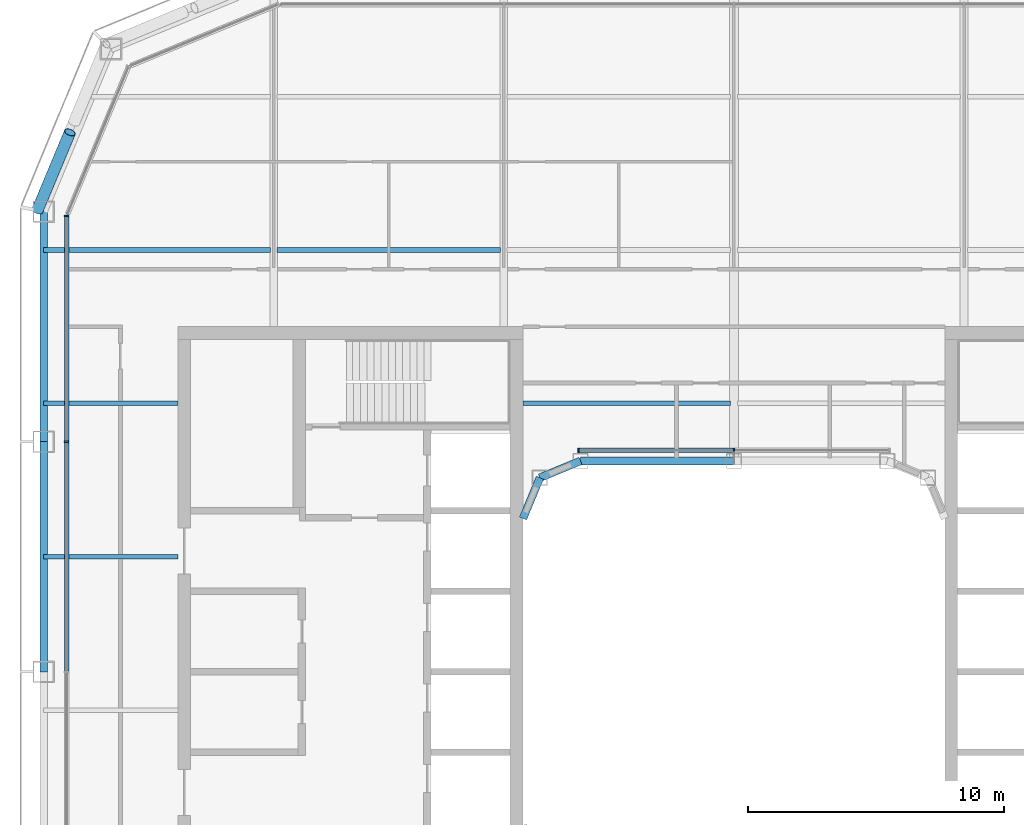
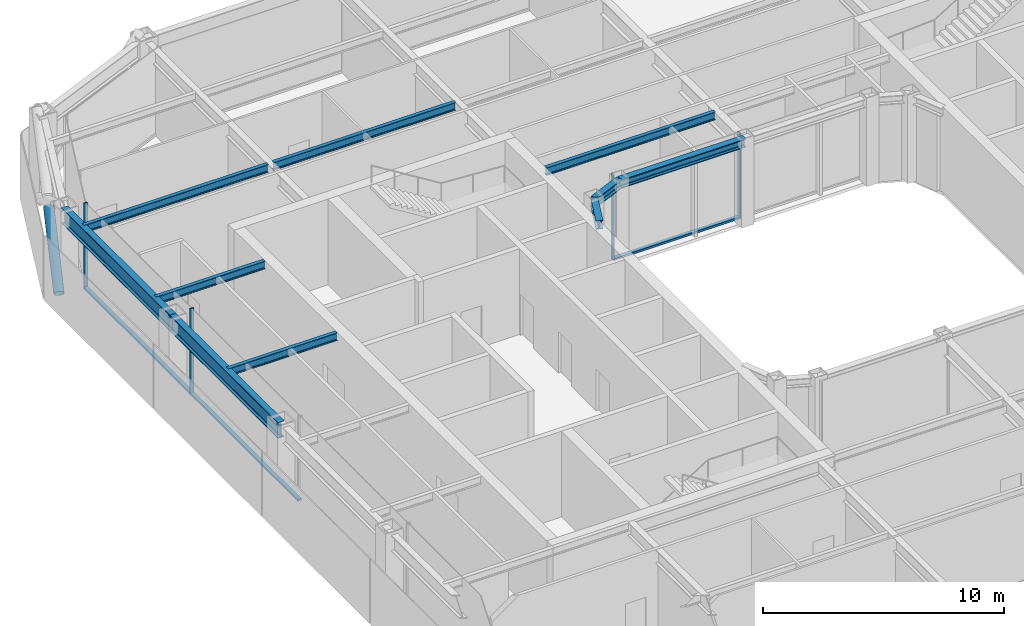
# One storey, part 6 of 19: 10 beams, 8 members, 2 elements without a shape of their own.
"""IFC4 building model written with IfcOpenShell, lengths in metres."""

from ifc_helpers import new_model, si_unit, direction, frame, origin, origin_2d, place, context, subcontext, project, spatial, rectangle, hollow_circle, i_section, extrude, material, layer, layer_set, material_profile, profile_set, type_object, element, aggregate, save


model = new_model("IFC4")

# Units and contexts
model_context = context("Model", 3, precision=1e-05, world=origin(), true_north=direction((0.0, 1.0)))
body_context = subcontext(model_context, "Body", "Model", "MODEL_VIEW")
ifc_project = project(units=[si_unit("LENGTHUNIT", "METRE"), si_unit("AREAUNIT", "SQUARE_METRE"), si_unit("VOLUMEUNIT", "CUBIC_METRE"), si_unit("PLANEANGLEUNIT", "RADIAN"), si_unit("MASSUNIT", "GRAM", prefix="KILO")], contexts=[model_context])

# Site, building, storey
site_placement = place(None, origin())
site = spatial("IfcSite", under=ifc_project, at=site_placement, CompositionType="ELEMENT")
building_placement = place(site_placement, origin())
building = spatial("IfcBuilding", under=site, at=building_placement, Name="Siwar Civic Tower", CompositionType="ELEMENT")
storey_placement = place(building_placement, frame((0.0, 0.0, 228.699951171875)))
storey = spatial("IfcBuildingStorey", under=building, at=storey_placement, Name="L49", CompositionType="ELEMENT", Elevation=228.699951171875)

# Curtain wall, members
ifc_material_1 = material(Name="Aluminium and glass", Category="aluminium")
ifc_layer_1 = layer(ifc_material_1, 0.179931640625)
ifc_layer_set_1 = layer_set([ifc_layer_1], Name="Aluminium and glass")
curtain_wall_type_1 = type_object("IfcCurtainWallType", Name="ENV-CW-C", PredefinedType="NOTDEFINED", material=ifc_layer_set_1)
curtain_wall_1_placement = place(storey_placement, origin())
curtain_wall_1 = element("IfcCurtainWall", 1, at=curtain_wall_1_placement, inside=storey, type_object=curtain_wall_type_1, Name="Curtain wall C W", PredefinedType="NOTDEFINED")
ifc_material_2 = material(Name="Aluminium 6063-T6", Category="aluminium")
ifc_material_profile_1 = material_profile(ifc_material_2, rectangle(XDim=0.179931640625, YDim=0.06005859375, at=origin_2d()), Name="AL 180x60")
ifc_profile_set_1 = profile_set([ifc_material_profile_1], Name="Aluminium 6063-T6")
member_type_1 = type_object("IfcMemberType", Name="ENV-MULLION-C", PredefinedType="MULLION", material=ifc_profile_set_1)
member_1_placement = place(storey_placement, frame((-26.10009765625, 17.821044921875, 0.0), z_axis=(0.0, 0.0, 1.0), x_axis=(1.0, 0.0, 0.0)))
member_1 = element("IfcMember", 2, at=member_1_placement, type_object=member_type_1, Name="Mullion C W 1", PredefinedType="MULLION", context=body_context, shape_type="SweptSolid", body=[
    extrude(rectangle(XDim=0.179931640625, YDim=0.06005859375, at=origin_2d()), origin(), (0.0, 0.0, 1.0), 4.35009765625),
])
member_2_placement = place(storey_placement, frame((-26.10009765625, 9.0, 0.0), z_axis=(0.0, 0.0, 1.0), x_axis=(1.0, 0.0, 0.0)))
member_2 = element("IfcMember", 3, at=member_2_placement, type_object=member_type_1, Name="Mullion C W 2", PredefinedType="MULLION", context=body_context, shape_type="SweptSolid", body=[
    extrude(rectangle(XDim=0.179931640625, YDim=0.06005859375, at=origin_2d()), origin(), (0.0, 0.0, 1.0), 4.35009765625),
])

ifc_material_3 = material(Name="Aluminium and glass", Category="aluminium")
ifc_layer_2 = layer(ifc_material_3, 0.179931640625)
ifc_layer_set_2 = layer_set([ifc_layer_2], Name="Aluminium and glass")
curtain_wall_type_2 = type_object("IfcCurtainWallType", Name="ENV-CW-W", PredefinedType="NOTDEFINED", material=ifc_layer_set_2)
curtain_wall_2_placement = place(storey_placement, origin())
curtain_wall_2 = element("IfcCurtainWall", 4, at=curtain_wall_2_placement, inside=storey, type_object=curtain_wall_type_2, Name="Curtain wall W WN", PredefinedType="NOTDEFINED")
ifc_material_4 = material(Name="Aluminium 6063-T6", Category="aluminium")
ifc_material_profile_2 = material_profile(ifc_material_4, rectangle(XDim=0.179931640625, YDim=0.06005859375, at=origin_2d()), Name="AL 180x60")
ifc_profile_set_2 = profile_set([ifc_material_profile_2], Name="Aluminium 6063-T6")
member_type_2 = type_object("IfcMemberType", Name="ENV-MULLION-W", PredefinedType="MULLION", material=ifc_profile_set_2)
member_3_placement = place(storey_placement, frame((0.0, 8.659912109375, 0.0), z_axis=(0.0, 0.0, 1.0), x_axis=(0.0, -1.0, 0.0)))
member_3 = element("IfcMember", 5, at=member_3_placement, type_object=member_type_2, Name="Mullion W WN 2", PredefinedType="MULLION", context=body_context, shape_type="SweptSolid", body=[
    extrude(rectangle(XDim=0.179931640625, YDim=0.06005859375, at=origin_2d()), origin(), (0.0, 0.0, 1.0), 4.35009765625),
])
member_4_placement = place(storey_placement, frame((-6.08154296875, 8.659912109375, 0.0), z_axis=(0.0, 0.0, 1.0), x_axis=(0.0, -1.0, 0.0)))
member_4 = element("IfcMember", 6, at=member_4_placement, type_object=member_type_2, Name="Mullion W WN 3", PredefinedType="MULLION", context=body_context, shape_type="SweptSolid", body=[
    extrude(rectangle(XDim=0.179931640625, YDim=0.06005859375, at=origin_2d()), origin(), (0.0, 0.0, 1.0), 4.35009765625),
])

# Member
ifc_material_5 = material(Name="Aluminium 6063-T6", Category="aluminium")
ifc_material_profile_3 = material_profile(ifc_material_5, rectangle(XDim=0.179931640625, YDim=0.10009765625, at=origin_2d()), Name="AL 180x100")
ifc_profile_set_3 = profile_set([ifc_material_profile_3], Name="Aluminium 6063-T6")
member_type_3 = type_object("IfcMemberType", Name="ENV-TRANSOM-C", PredefinedType="USERDEFINED", material=ifc_profile_set_3)
member_5_placement = place(storey_placement, frame((-26.10009765625, 17.791015625, 0.050048828125), z_axis=(0.0, -1.0, 0.0), x_axis=(1.0, 0.0, 0.0)))
member_5 = element("IfcMember", 7, at=member_5_placement, type_object=member_type_3, Name="Transom C W 1", ObjectType="TRANSOM", PredefinedType="USERDEFINED", context=body_context, shape_type="SweptSolid", body=[
    extrude(rectangle(XDim=0.179931640625, YDim=0.10009765625, at=origin_2d()), origin(), (0.0, 0.0, 1.0), 8.760986328125),
])

member_6_placement = place(storey_placement, frame((-26.10009765625, 8.969970703125, 0.050048828125), z_axis=(0.0, -1.0, 0.0), x_axis=(1.0, 0.0, 0.0)))
member_6 = element("IfcMember", 8, at=member_6_placement, type_object=member_type_3, Name="Transom C W 2", ObjectType="TRANSOM", PredefinedType="USERDEFINED", context=body_context, shape_type="SweptSolid", body=[
    extrude(rectangle(XDim=0.179931640625, YDim=0.10009765625, at=origin_2d()), origin(), (0.0, 0.0, 1.0), 8.93994140625),
])

aggregate(curtain_wall_1, [member_1, member_2, member_5, member_6])

ifc_material_6 = material(Name="Aluminium 6063-T6", Category="aluminium")
ifc_material_profile_4 = material_profile(ifc_material_6, rectangle(XDim=0.179931640625, YDim=0.10009765625, at=origin_2d()), Name="AL 180x100")
ifc_profile_set_4 = profile_set([ifc_material_profile_4], Name="Aluminium 6063-T6")
member_type_4 = type_object("IfcMemberType", Name="ENV-TRANSOM-W", PredefinedType="USERDEFINED", material=ifc_profile_set_4)
member_7_placement = place(storey_placement, frame((-0.030029296875, 8.659912109375, 0.050048828125), z_axis=(-1.0, 0.0, 0.0), x_axis=(0.0, -1.0, 0.0)))
member_7 = element("IfcMember", 9, at=member_7_placement, type_object=member_type_4, Name="Transom W WN 2", ObjectType="TRANSOM", PredefinedType="USERDEFINED", context=body_context, shape_type="SweptSolid", body=[
    extrude(rectangle(XDim=0.179931640625, YDim=0.10009765625, at=origin_2d()), origin(), (0.0, 0.0, 1.0), 6.021484375),
])

aggregate(curtain_wall_2, [member_3, member_4, member_7])

ifc_material_7 = material(Name="Steel S355", Category="steel")
ifc_material_profile_5 = material_profile(ifc_material_7, hollow_circle(Radius=0.228515625, WallThickness=0.02001953125, at=origin_2d()), Name="CHS457x20")
ifc_profile_set_5 = profile_set([ifc_material_profile_5], Name="Steel S355")
member_type_5 = type_object("IfcMemberType", Name="STR-BR-CHS457x20", PredefinedType="BRACE", material=ifc_profile_set_5)
member_8_placement = place(storey_placement, frame((-27.2451171875, 18.048828125, 0.0), z_axis=(0.323884455881, 0.777546448489, 0.538999424564), x_axis=(-0.92311621485, 0.38452107079, 0.0)))
element("IfcMember", 10, at=member_8_placement, inside=storey, type_object=member_type_5, Name="L49/brc/CNW1-9-0-2", PredefinedType="BRACE", context=body_context, shape_type="SweptSolid", body=[
    extrude(hollow_circle(Radius=0.228515625, WallThickness=0.02001953125, at=origin_2d()), origin(), (0.0, 0.0, 1.0), 3.927978515625),
])

# Beams
ifc_material_8 = material(Name="Steel S355", Category="steel")
ifc_material_profile_6 = material_profile(ifc_material_8, i_section(OverallWidth=0.179931640625, OverallDepth=0.39990234375, WebThickness=0.008544921875, FlangeThickness=0.013427734375, FilletRadius=0.02099609375, at=origin_2d()), Name="IPE400")
ifc_profile_set_6 = profile_set([ifc_material_profile_6], Name="Steel S355")
beam_type_1 = type_object("IfcBeamType", Name="STR-FB-IPE400", PredefinedType="JOIST", material=ifc_profile_set_6)
for number, where, z_axis, x_axis, name in (
    (11, (-27.0, 4.5, 4.150146484375), (1.0, 0.0, 0.0), (0.0, 1.0, 0.0), "L49/bm/F025"),
    (12, (-27.0, 10.5, 4.150146484375), (1.0, 0.0, 0.0), (0.0, 1.0, 0.0), "L49/bm/F027"),
):
    element("IfcBeam", number, at=place(storey_placement, frame(where, z_axis=z_axis, x_axis=x_axis)), inside=storey, type_object=beam_type_1, Name=name, PredefinedType="JOIST", context=body_context, shape_type="SweptSolid", body=[
        extrude(i_section(OverallWidth=0.179931640625, OverallDepth=0.39990234375, WebThickness=0.008544921875, FlangeThickness=0.013427734375, FilletRadius=0.02099609375, at=origin_2d()), origin(), (0.0, 0.0, 1.0), 5.25),
    ])
beam_1_placement = place(storey_placement, frame((-8.25, 10.5, 4.150146484375), z_axis=(1.0, 0.0, 0.0), x_axis=(0.0, 1.0, 0.0)))
element("IfcBeam", 13, at=beam_1_placement, inside=storey, type_object=beam_type_1, Name="L49/bm/F028", PredefinedType="JOIST", context=body_context, shape_type="SweptSolid", body=[
    extrude(i_section(OverallWidth=0.179931640625, OverallDepth=0.39990234375, WebThickness=0.008544921875, FlangeThickness=0.013427734375, FilletRadius=0.02099609375, at=origin_2d()), origin(), (0.0, 0.0, 1.0), 8.1201171875),
])
beam_2_placement = place(storey_placement, frame((-27.0, 16.5, 4.150146484375), z_axis=(1.0, 0.0, 0.0), x_axis=(0.0, 1.0, 0.0)))
element("IfcBeam", 14, at=beam_2_placement, inside=storey, type_object=beam_type_1, Name="L49/bm/F031", PredefinedType="JOIST", context=body_context, shape_type="SweptSolid", body=[
    extrude(i_section(OverallWidth=0.179931640625, OverallDepth=0.39990234375, WebThickness=0.008544921875, FlangeThickness=0.013427734375, FilletRadius=0.02099609375, at=origin_2d()), origin(), (0.0, 0.0, 1.0), 8.8701171875),
])
beam_3_placement = place(storey_placement, frame((-17.8701171875, 16.5, 4.150146484375), z_axis=(1.0, 0.0, 0.0), x_axis=(0.0, 1.0, 0.0)))
element("IfcBeam", 15, at=beam_3_placement, inside=storey, type_object=beam_type_1, Name="L49/bm/F032", PredefinedType="JOIST", context=body_context, shape_type="SweptSolid", body=[
    extrude(i_section(OverallWidth=0.179931640625, OverallDepth=0.39990234375, WebThickness=0.008544921875, FlangeThickness=0.013427734375, FilletRadius=0.02099609375, at=origin_2d()), origin(), (0.0, 0.0, 1.0), 8.740234375),
])
ifc_material_9 = material(Name="Steel S355", Category="steel")
ifc_material_profile_7 = material_profile(ifc_material_9, i_section(OverallWidth=0.306884765625, OverallDepth=0.431884765625, WebThickness=0.02099609375, FlangeThickness=0.0400390625, FilletRadius=0.027099609375, at=origin_2d()), Name="HEM400")
ifc_profile_set_7 = profile_set([ifc_material_profile_7], Name="Steel S355")
beam_type_2 = type_object("IfcBeamType", Name="STR-RB-HEM400", PredefinedType="BEAM", material=ifc_profile_set_7)
beam_4_placement = place(storey_placement, frame((-7.591064453125, 7.591064453125, 4.134033203125), z_axis=(0.923901072997, 0.382631424892, 0.0), x_axis=(-0.382631424892, 0.923901072997, 0.0)))
element("IfcBeam", 16, at=beam_4_placement, inside=storey, type_object=beam_type_2, Name="L49/bm/RN0", PredefinedType="BEAM", context=body_context, shape_type="SweptSolid", body=[
    extrude(i_section(OverallWidth=0.306884765625, OverallDepth=0.431884765625, WebThickness=0.02099609375, FlangeThickness=0.0400390625, FilletRadius=0.027099609375, at=origin_2d()), origin(), (0.0, 0.0, 1.0), 1.72216796875),
])
beam_5_placement = place(storey_placement, frame((-6.0, 8.25, 4.134033203125), z_axis=(1.0, 0.0, 0.0), x_axis=(0.0, 1.0, 0.0)))
element("IfcBeam", 17, at=beam_5_placement, inside=storey, type_object=beam_type_2, Name="L49/bm/RN1", PredefinedType="BEAM", context=body_context, shape_type="SweptSolid", body=[
    extrude(i_section(OverallWidth=0.306884765625, OverallDepth=0.431884765625, WebThickness=0.02099609375, FlangeThickness=0.0400390625, FilletRadius=0.027099609375, at=origin_2d()), origin(), (0.0, 0.0, 1.0), 6.0),
])
beam_6_placement = place(storey_placement, frame((-7.591064453125, 7.591064453125, 4.134033203125), z_axis=(-0.382631424892, -0.923901072997, 0.0), x_axis=(0.923901072997, -0.382631424892, 0.0)))
element("IfcBeam", 18, at=beam_6_placement, inside=storey, type_object=beam_type_2, Name="L49/bm/RNEW", PredefinedType="BEAM", context=body_context, shape_type="SweptSolid", body=[
    extrude(i_section(OverallWidth=0.306884765625, OverallDepth=0.431884765625, WebThickness=0.02099609375, FlangeThickness=0.0400390625, FilletRadius=0.027099609375, at=origin_2d()), origin(), (0.0, 0.0, 1.0), 1.72216796875),
])
ifc_material_10 = material(Name="Steel S355", Category="steel")
ifc_material_profile_8 = material_profile(ifc_material_10, i_section(OverallWidth=0.300048828125, OverallDepth=0.800048828125, WebThickness=0.017578125, FlangeThickness=0.032958984375, FilletRadius=0.030029296875, at=origin_2d()), Name="HEB800")
ifc_profile_set_8 = profile_set([ifc_material_profile_8], Name="Steel S355")
beam_type_3 = type_object("IfcBeamType", Name="STR-SB-HEB800", PredefinedType="BEAM", material=ifc_profile_set_8)
for number, where, z_axis, x_axis, name in (
    (19, (-27.0, 18.0, 3.949951171875), (0.0, -1.0, 0.0), (1.0, 0.0, 0.0), "L49/bm/SW-0"),
    (20, (-27.0, 9.0, 3.949951171875), (0.0, -1.0, 0.0), (1.0, 0.0, 0.0), "L49/bm/SW-1"),
):
    element("IfcBeam", number, at=place(storey_placement, frame(where, z_axis=z_axis, x_axis=x_axis)), inside=storey, type_object=beam_type_3, Name=name, PredefinedType="BEAM", context=body_context, shape_type="SweptSolid", body=[
        extrude(i_section(OverallWidth=0.300048828125, OverallDepth=0.800048828125, WebThickness=0.017578125, FlangeThickness=0.032958984375, FilletRadius=0.030029296875, at=origin_2d()), origin(), (0.0, 0.0, 1.0), 9.0),
    ])

save(model, "model.ifc")
